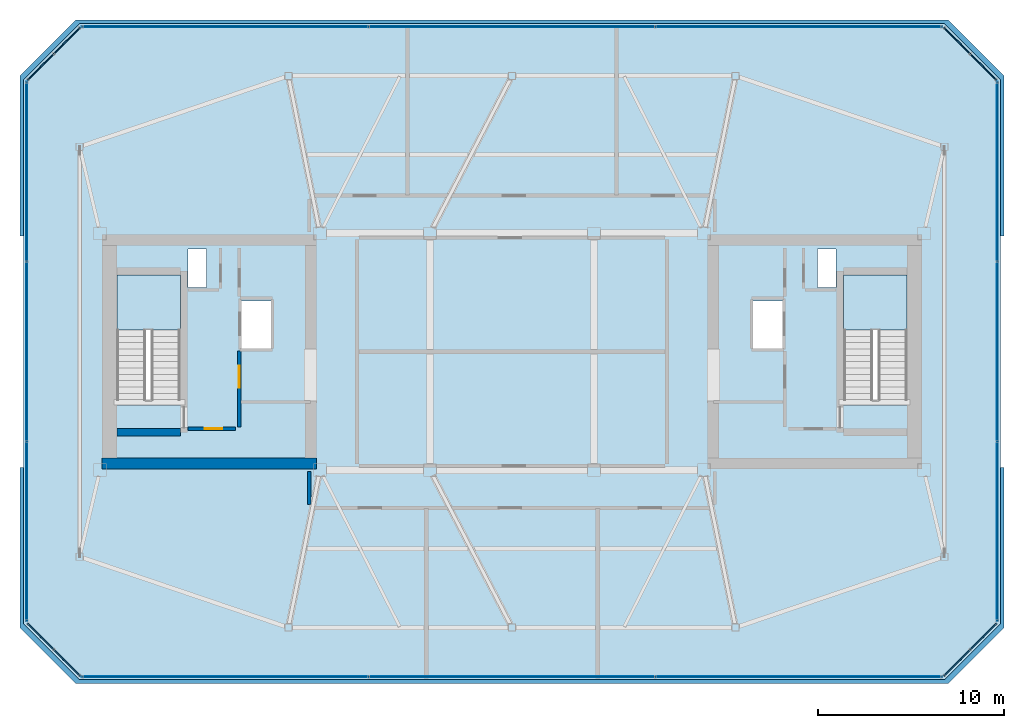
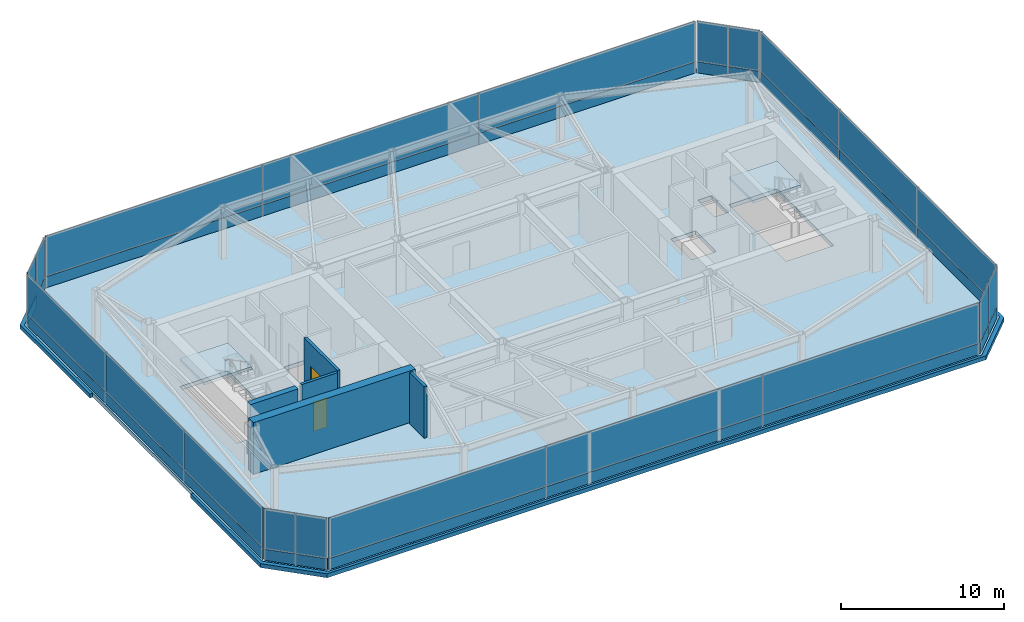
# One storey, part 17 of 22: 40 plates, 5 slabs, 5 walls, 2 doors, 2 openings, 10 elements without a shape of their own.
"""IFC4 building model written with IfcOpenShell, lengths in metres."""

from ifc_helpers import new_model, si_unit, direction, frame, frame_2d, origin, origin_2d, place, context, subcontext, project, spatial, polyline, rectangle, outline, extrude, material, layer, layer_set, type_object, element, fill, aggregate, save


model = new_model("IFC4")

# Units and contexts
model_context = context("Model", 3, precision=1e-05, world=origin(), true_north=direction((0.0, 1.0)))
body_context = subcontext(model_context, "Body", "Model", "MODEL_VIEW")
ifc_project = project(units=[si_unit("LENGTHUNIT", "METRE"), si_unit("AREAUNIT", "SQUARE_METRE"), si_unit("VOLUMEUNIT", "CUBIC_METRE"), si_unit("PLANEANGLEUNIT", "RADIAN"), si_unit("MASSUNIT", "GRAM", prefix="KILO")], contexts=[model_context])

# Site, building, storey
site_placement = place(None, origin())
site = spatial("IfcSite", under=ifc_project, at=site_placement, CompositionType="ELEMENT")
building_placement = place(site_placement, origin())
building = spatial("IfcBuilding", under=site, at=building_placement, Name="Tavrogorsk Clinical Tower", CompositionType="ELEMENT")
storey_placement = place(building_placement, frame((0.0, 0.0, 352.800048828125)))
storey = spatial("IfcBuildingStorey", under=building, at=storey_placement, Name="L82", CompositionType="ELEMENT", Elevation=352.800048828125)

# Slabs
ifc_material_1 = material(Name="Concrete B60", Category="concrete")
ifc_layer_1 = layer(ifc_material_1, 0.300048828125)
ifc_layer_set_1 = layer_set([ifc_layer_1], Name="Concrete B60")
slab_type_1 = type_object("IfcSlabType", Name="CrownRoofSlab_300", PredefinedType="FLOOR", material=ifc_layer_set_1)
slab_1_placement = place(storey_placement, frame((0.0, 0.0, -0.300048828125)))
element("IfcSlab", 1, at=slab_1_placement, inside=storey, type_object=slab_type_1, Name="L82 Structural Slab", PredefinedType="FLOOR", context=body_context, shape_type="SweptSolid", body=[
    extrude(outline(polyline([(-23.199951171875, -17.60009765625), (23.199951171875, -17.60009765625), (26.199951171875, -14.60009765625), (26.199951171875, 14.60009765625), (23.199951171875, 17.60009765625), (-23.199951171875, 17.60009765625), (-26.199951171875, 14.60009765625), (-26.199951171875, -14.60009765625), (-23.199951171875, -17.60009765625)]), holes=[polyline([(-17.800048828125, -2.8798828125), (-17.800048828125, 4.125), (-21.199951171875, 4.125), (-21.199951171875, -2.8798828125), (-17.800048828125, -2.8798828125)]), polyline([(21.199951171875, -2.8798828125), (21.199951171875, 4.125), (17.800048828125, 4.125), (17.800048828125, -2.8798828125), (21.199951171875, -2.8798828125)]), polyline([(-14.6201171875, 0.169921875), (-12.860107421875, 0.169921875), (-12.860107421875, 2.72998046875), (-14.6201171875, 2.72998046875), (-14.6201171875, 0.169921875)]), polyline([(12.860107421875, 0.169921875), (14.6201171875, 0.169921875), (14.6201171875, 2.72998046875), (12.860107421875, 2.72998046875), (12.860107421875, 0.169921875)]), polyline([(-17.3798828125, 3.449951171875), (-16.3798828125, 3.449951171875), (-16.3798828125, 5.5), (-17.3798828125, 5.5), (-17.3798828125, 3.449951171875)]), polyline([(16.3798828125, 3.449951171875), (17.3798828125, 3.449951171875), (17.3798828125, 5.5), (16.3798828125, 5.5), (16.3798828125, 3.449951171875)])]), origin(), (0.0, 0.0, 1.0), 0.300048828125),
])
ifc_material_2 = material(Name="Concrete B60", Category="concrete")
ifc_layer_2 = layer(ifc_material_2, 0.300048828125)
ifc_layer_set_2 = layer_set([ifc_layer_2], Name="Concrete B60")
slab_type_2 = type_object("IfcSlabType", Name="CrownTopRoofSlab_300", PredefinedType="ROOF", material=ifc_layer_set_2)
slab_2_placement = place(storey_placement, frame((0.0, 0.0, -0.300048828125)))
element("IfcSlab", 2, at=slab_2_placement, inside=storey, type_object=slab_type_2, Name="L82 Setback Roof Slab 1", PredefinedType="ROOF", context=body_context, shape_type="SweptSolid", body=[
    extrude(outline(polyline([(-26.39990234375, -6.199951171875), (-26.199951171875, -6.199951171875), (-26.199951171875, -14.60009765625), (-23.199951171875, -17.60009765625), (23.199951171875, -17.60009765625), (26.199951171875, -14.60009765625), (26.199951171875, -6.199951171875), (26.39990234375, -6.199951171875), (26.39990234375, -14.800048828125), (23.39990234375, -17.800048828125), (-23.39990234375, -17.800048828125), (-26.39990234375, -14.800048828125), (-26.39990234375, -6.199951171875)])), origin(), (0.0, 0.0, 1.0), 0.300048828125),
])
slab_3_placement = place(storey_placement, frame((0.0, 0.0, -0.300048828125)))
element("IfcSlab", 3, at=slab_3_placement, inside=storey, type_object=slab_type_2, Name="L82 Setback Roof Slab 2", PredefinedType="ROOF", context=body_context, shape_type="SweptSolid", body=[
    extrude(outline(polyline([(-26.39990234375, 14.800048828125), (-23.39990234375, 17.800048828125), (23.39990234375, 17.800048828125), (26.39990234375, 14.800048828125), (26.39990234375, 6.199951171875), (26.199951171875, 6.199951171875), (26.199951171875, 14.60009765625), (23.199951171875, 17.60009765625), (-23.199951171875, 17.60009765625), (-26.199951171875, 14.60009765625), (-26.199951171875, 6.199951171875), (-26.39990234375, 6.199951171875), (-26.39990234375, 14.800048828125)])), origin(), (0.0, 0.0, 1.0), 0.300048828125),
])

# Curtain wall, plates
ifc_material_3 = material(Name="Anodised aluminium and triple IGU glazing", Category="aluminium")
ifc_layer_3 = layer(ifc_material_3, 0.179931640625)
ifc_layer_set_3 = layer_set([ifc_layer_3], Name="Anodised aluminium and triple IGU glazing")
curtain_wall_type = type_object("IfcCurtainWallType", Name="CW5_SkyLobby", PredefinedType="NOTDEFINED", material=ifc_layer_set_3)
curtain_wall_1_placement = place(storey_placement, origin())
curtain_wall_1 = element("IfcCurtainWall", 4, at=curtain_wall_1_placement, inside=storey, type_object=curtain_wall_type, Name="L82 Curtain Wall CW-L82-DRUM-1", PredefinedType="NOTDEFINED")
ifc_material_4 = material(Name="Honed Podolsk limestone spandrel panel", Category="masonry")
ifc_layer_4 = layer(ifc_material_4, 0.080078125)
ifc_layer_set_4 = layer_set([ifc_layer_4], Name="Honed Podolsk limestone spandrel panel")
plate_type_1 = type_object("IfcPlateType", Name="CwSpandrelStonePanel_80", PredefinedType="CURTAIN_PANEL", material=ifc_layer_set_4)
plate_1_placement = place(storey_placement, frame((-23.877197265625, -16.696533203125, 0.001953125), z_axis=(0.0, 0.0, 1.0), x_axis=(-0.707106781187, 0.707106781187, 0.0)))
plate_1 = element("IfcPlate", 5, at=plate_1_placement, type_object=plate_type_1, Name="CW-L82-DRUM-1 Stone Spandrel Panel 1", PredefinedType="CURTAIN_PANEL", context=body_context, shape_type="SweptSolid", body=[
    extrude(rectangle(XDim=1.98291015625, YDim=0.080078125, at=origin_2d()), origin(), (0.0, 0.0, 1.0), 0.8359375),
])
plate_2_placement = place(storey_placement, frame((-25.29638671875, -15.27734375, 0.001953125), z_axis=(0.0, 0.0, 1.0), x_axis=(-0.707106781187, 0.707106781187, 0.0)))
plate_2 = element("IfcPlate", 6, at=plate_2_placement, type_object=plate_type_1, Name="CW-L82-DRUM-1 Stone Spandrel Panel 2", PredefinedType="CURTAIN_PANEL", context=body_context, shape_type="SweptSolid", body=[
    extrude(rectangle(XDim=1.98291015625, YDim=0.080078125, at=origin_2d()), origin(), (0.0, 0.0, 1.0), 0.8359375),
])

curtain_wall_2_placement = place(storey_placement, origin())
curtain_wall_2 = element("IfcCurtainWall", 7, at=curtain_wall_2_placement, inside=storey, type_object=curtain_wall_type, Name="L82 Curtain Wall CW-L82-DRUM-2", PredefinedType="NOTDEFINED")
plate_3_placement = place(storey_placement, frame((-26.0400390625, -9.655029296875, 0.001953125), z_axis=(0.0, 0.0, 1.0), x_axis=(0.0, 1.0, 0.0)))
plate_3 = element("IfcPlate", 8, at=plate_3_placement, type_object=plate_type_1, Name="CW-L82-DRUM-2 Stone Spandrel Panel 1", PredefinedType="CURTAIN_PANEL", context=body_context, shape_type="SweptSolid", body=[
    extrude(rectangle(XDim=9.63720703125, YDim=0.080078125, at=origin_2d()), origin(), (0.0, 0.0, 1.0), 0.8359375),
])
plate_4_placement = place(storey_placement, frame((-26.0400390625, 0.0, 0.001953125), z_axis=(0.0, 0.0, 1.0), x_axis=(0.0, 1.0, 0.0)))
plate_4 = element("IfcPlate", 9, at=plate_4_placement, type_object=plate_type_1, Name="CW-L82-DRUM-2 Stone Spandrel Panel 2", PredefinedType="CURTAIN_PANEL", context=body_context, shape_type="SweptSolid", body=[
    extrude(rectangle(XDim=9.625244140625, YDim=0.080078125, at=origin_2d()), origin(), (0.0, 0.0, 1.0), 0.8359375),
])
plate_5_placement = place(storey_placement, frame((-26.0400390625, 9.655029296875, 0.001953125), z_axis=(0.0, 0.0, 1.0), x_axis=(0.0, 1.0, 0.0)))
plate_5 = element("IfcPlate", 10, at=plate_5_placement, type_object=plate_type_1, Name="CW-L82-DRUM-2 Stone Spandrel Panel 3", PredefinedType="CURTAIN_PANEL", context=body_context, shape_type="SweptSolid", body=[
    extrude(rectangle(XDim=9.63720703125, YDim=0.080078125, at=origin_2d()), origin(), (0.0, 0.0, 1.0), 0.8359375),
])

curtain_wall_3_placement = place(storey_placement, origin())
curtain_wall_3 = element("IfcCurtainWall", 11, at=curtain_wall_3_placement, inside=storey, type_object=curtain_wall_type, Name="L82 Curtain Wall CW-L82-DRUM-3", PredefinedType="NOTDEFINED")
plate_6_placement = place(storey_placement, frame((-25.29638671875, 15.27734375, 0.001953125), z_axis=(0.0, 0.0, 1.0), x_axis=(0.707106781187, 0.707106781187, 0.0)))
plate_6 = element("IfcPlate", 12, at=plate_6_placement, type_object=plate_type_1, Name="CW-L82-DRUM-3 Stone Spandrel Panel 1", PredefinedType="CURTAIN_PANEL", context=body_context, shape_type="SweptSolid", body=[
    extrude(rectangle(XDim=1.98291015625, YDim=0.080078125, at=origin_2d()), origin(), (0.0, 0.0, 1.0), 0.8359375),
])
plate_7_placement = place(storey_placement, frame((-23.877197265625, 16.696533203125, 0.001953125), z_axis=(0.0, 0.0, 1.0), x_axis=(0.707106781187, 0.707106781187, 0.0)))
plate_7 = element("IfcPlate", 13, at=plate_7_placement, type_object=plate_type_1, Name="CW-L82-DRUM-3 Stone Spandrel Panel 2", PredefinedType="CURTAIN_PANEL", context=body_context, shape_type="SweptSolid", body=[
    extrude(rectangle(XDim=1.98291015625, YDim=0.080078125, at=origin_2d()), origin(), (0.0, 0.0, 1.0), 0.8359375),
])

curtain_wall_4_placement = place(storey_placement, origin())
curtain_wall_4 = element("IfcCurtainWall", 14, at=curtain_wall_4_placement, inside=storey, type_object=curtain_wall_type, Name="L82 Curtain Wall CW-L82-DRUM-4", PredefinedType="NOTDEFINED")
plate_8_placement = place(storey_placement, frame((-15.388427734375, 17.43994140625, 0.001953125), z_axis=(0.0, 0.0, 1.0), x_axis=(1.0, 0.0, 0.0)))
plate_8 = element("IfcPlate", 15, at=plate_8_placement, type_object=plate_type_1, Name="CW-L82-DRUM-4 Stone Spandrel Panel 1", PredefinedType="CURTAIN_PANEL", context=body_context, shape_type="SweptSolid", body=[
    extrude(rectangle(XDim=15.37060546875, YDim=0.080078125, at=origin_2d()), origin(), (0.0, 0.0, 1.0), 0.8359375),
])
plate_9_placement = place(storey_placement, frame((0.0, 17.43994140625, 0.001953125), z_axis=(0.0, 0.0, 1.0), x_axis=(1.0, 0.0, 0.0)))
plate_9 = element("IfcPlate", 16, at=plate_9_placement, type_object=plate_type_1, Name="CW-L82-DRUM-4 Stone Spandrel Panel 2", PredefinedType="CURTAIN_PANEL", context=body_context, shape_type="SweptSolid", body=[
    extrude(rectangle(XDim=15.3583984375, YDim=0.080078125, at=origin_2d()), origin(), (0.0, 0.0, 1.0), 0.8359375),
])
plate_10_placement = place(storey_placement, frame((15.388427734375, 17.43994140625, 0.001953125), z_axis=(0.0, 0.0, 1.0), x_axis=(1.0, 0.0, 0.0)))
plate_10 = element("IfcPlate", 17, at=plate_10_placement, type_object=plate_type_1, Name="CW-L82-DRUM-4 Stone Spandrel Panel 3", PredefinedType="CURTAIN_PANEL", context=body_context, shape_type="SweptSolid", body=[
    extrude(rectangle(XDim=15.37060546875, YDim=0.080078125, at=origin_2d()), origin(), (0.0, 0.0, 1.0), 0.8359375),
])

curtain_wall_5_placement = place(storey_placement, origin())
curtain_wall_5 = element("IfcCurtainWall", 18, at=curtain_wall_5_placement, inside=storey, type_object=curtain_wall_type, Name="L82 Curtain Wall CW-L82-DRUM-5", PredefinedType="NOTDEFINED")
plate_11_placement = place(storey_placement, frame((23.877197265625, 16.696533203125, 0.001953125), z_axis=(0.0, 0.0, 1.0), x_axis=(0.707106781187, -0.707106781187, 0.0)))
plate_11 = element("IfcPlate", 19, at=plate_11_placement, type_object=plate_type_1, Name="CW-L82-DRUM-5 Stone Spandrel Panel 1", PredefinedType="CURTAIN_PANEL", context=body_context, shape_type="SweptSolid", body=[
    extrude(rectangle(XDim=1.98291015625, YDim=0.080078125, at=origin_2d()), origin(), (0.0, 0.0, 1.0), 0.8359375),
])
plate_12_placement = place(storey_placement, frame((25.29638671875, 15.27734375, 0.001953125), z_axis=(0.0, 0.0, 1.0), x_axis=(0.707106781187, -0.707106781187, 0.0)))
plate_12 = element("IfcPlate", 20, at=plate_12_placement, type_object=plate_type_1, Name="CW-L82-DRUM-5 Stone Spandrel Panel 2", PredefinedType="CURTAIN_PANEL", context=body_context, shape_type="SweptSolid", body=[
    extrude(rectangle(XDim=1.98291015625, YDim=0.080078125, at=origin_2d()), origin(), (0.0, 0.0, 1.0), 0.8359375),
])

curtain_wall_6_placement = place(storey_placement, origin())
curtain_wall_6 = element("IfcCurtainWall", 21, at=curtain_wall_6_placement, inside=storey, type_object=curtain_wall_type, Name="L82 Curtain Wall CW-L82-DRUM-6", PredefinedType="NOTDEFINED")
plate_13_placement = place(storey_placement, frame((26.0400390625, 9.655029296875, 0.001953125), z_axis=(0.0, 0.0, 1.0), x_axis=(0.0, -1.0, 0.0)))
plate_13 = element("IfcPlate", 22, at=plate_13_placement, type_object=plate_type_1, Name="CW-L82-DRUM-6 Stone Spandrel Panel 1", PredefinedType="CURTAIN_PANEL", context=body_context, shape_type="SweptSolid", body=[
    extrude(rectangle(XDim=9.63720703125, YDim=0.080078125, at=origin_2d()), origin(), (0.0, 0.0, 1.0), 0.8359375),
])
plate_14_placement = place(storey_placement, frame((26.0400390625, 0.0, 0.001953125), z_axis=(0.0, 0.0, 1.0), x_axis=(0.0, -1.0, 0.0)))
plate_14 = element("IfcPlate", 23, at=plate_14_placement, type_object=plate_type_1, Name="CW-L82-DRUM-6 Stone Spandrel Panel 2", PredefinedType="CURTAIN_PANEL", context=body_context, shape_type="SweptSolid", body=[
    extrude(rectangle(XDim=9.625244140625, YDim=0.080078125, at=origin_2d()), origin(), (0.0, 0.0, 1.0), 0.8359375),
])
plate_15_placement = place(storey_placement, frame((26.0400390625, -9.655029296875, 0.001953125), z_axis=(0.0, 0.0, 1.0), x_axis=(0.0, -1.0, 0.0)))
plate_15 = element("IfcPlate", 24, at=plate_15_placement, type_object=plate_type_1, Name="CW-L82-DRUM-6 Stone Spandrel Panel 3", PredefinedType="CURTAIN_PANEL", context=body_context, shape_type="SweptSolid", body=[
    extrude(rectangle(XDim=9.63720703125, YDim=0.080078125, at=origin_2d()), origin(), (0.0, 0.0, 1.0), 0.8359375),
])

curtain_wall_7_placement = place(storey_placement, origin())
curtain_wall_7 = element("IfcCurtainWall", 25, at=curtain_wall_7_placement, inside=storey, type_object=curtain_wall_type, Name="L82 Curtain Wall CW-L82-DRUM-7", PredefinedType="NOTDEFINED")
plate_16_placement = place(storey_placement, frame((25.29638671875, -15.27734375, 0.001953125), z_axis=(0.0, 0.0, 1.0), x_axis=(-0.707106781187, -0.707106781187, 0.0)))
plate_16 = element("IfcPlate", 26, at=plate_16_placement, type_object=plate_type_1, Name="CW-L82-DRUM-7 Stone Spandrel Panel 1", PredefinedType="CURTAIN_PANEL", context=body_context, shape_type="SweptSolid", body=[
    extrude(rectangle(XDim=1.98291015625, YDim=0.080078125, at=origin_2d()), origin(), (0.0, 0.0, 1.0), 0.8359375),
])
plate_17_placement = place(storey_placement, frame((23.877197265625, -16.696533203125, 0.001953125), z_axis=(0.0, 0.0, 1.0), x_axis=(-0.707106781187, -0.707106781187, 0.0)))
plate_17 = element("IfcPlate", 27, at=plate_17_placement, type_object=plate_type_1, Name="CW-L82-DRUM-7 Stone Spandrel Panel 2", PredefinedType="CURTAIN_PANEL", context=body_context, shape_type="SweptSolid", body=[
    extrude(rectangle(XDim=1.98291015625, YDim=0.080078125, at=origin_2d()), origin(), (0.0, 0.0, 1.0), 0.8359375),
])

curtain_wall_8_placement = place(storey_placement, origin())
curtain_wall_8 = element("IfcCurtainWall", 28, at=curtain_wall_8_placement, inside=storey, type_object=curtain_wall_type, Name="L82 Curtain Wall CW-L82-DRUM-8", PredefinedType="NOTDEFINED")
plate_18_placement = place(storey_placement, frame((15.388427734375, -17.43994140625, 0.001953125), z_axis=(0.0, 0.0, 1.0), x_axis=(-1.0, 0.0, 0.0)))
plate_18 = element("IfcPlate", 29, at=plate_18_placement, type_object=plate_type_1, Name="CW-L82-DRUM-8 Stone Spandrel Panel 1", PredefinedType="CURTAIN_PANEL", context=body_context, shape_type="SweptSolid", body=[
    extrude(rectangle(XDim=15.37060546875, YDim=0.080078125, at=origin_2d()), origin(), (0.0, 0.0, 1.0), 0.8359375),
])
plate_19_placement = place(storey_placement, frame((0.0, -17.43994140625, 0.001953125), z_axis=(0.0, 0.0, 1.0), x_axis=(-1.0, 0.0, 0.0)))
plate_19 = element("IfcPlate", 30, at=plate_19_placement, type_object=plate_type_1, Name="CW-L82-DRUM-8 Stone Spandrel Panel 2", PredefinedType="CURTAIN_PANEL", context=body_context, shape_type="SweptSolid", body=[
    extrude(rectangle(XDim=15.3583984375, YDim=0.080078125, at=origin_2d()), origin(), (0.0, 0.0, 1.0), 0.8359375),
])
plate_20_placement = place(storey_placement, frame((-15.388427734375, -17.43994140625, 0.001953125), z_axis=(0.0, 0.0, 1.0), x_axis=(-1.0, 0.0, 0.0)))
plate_20 = element("IfcPlate", 31, at=plate_20_placement, type_object=plate_type_1, Name="CW-L82-DRUM-8 Stone Spandrel Panel 3", PredefinedType="CURTAIN_PANEL", context=body_context, shape_type="SweptSolid", body=[
    extrude(rectangle(XDim=15.37060546875, YDim=0.080078125, at=origin_2d()), origin(), (0.0, 0.0, 1.0), 0.8359375),
])

# Plate
ifc_material_5 = material(Name="Triple low-E argon insulated glass", Category="glass")
ifc_layer_5 = layer(ifc_material_5, 0.048095703125)
ifc_layer_set_5 = layer_set([ifc_layer_5], Name="Triple low-E argon insulated glass")
plate_type_2 = type_object("IfcPlateType", Name="CwVisionGlassPanel_48", PredefinedType="CURTAIN_PANEL", material=ifc_layer_set_5)
plate_21_placement = place(storey_placement, frame((-23.877197265625, -16.696533203125, 0.86181640625), z_axis=(0.0, 0.0, 1.0), x_axis=(-0.707106781187, 0.707106781187, 0.0)))
plate_21 = element("IfcPlate", 32, at=plate_21_placement, type_object=plate_type_2, Name="CW-L82-DRUM-1 Glazing Panel 1", PredefinedType="CURTAIN_PANEL", context=body_context, shape_type="SweptSolid", body=[
    extrude(rectangle(XDim=1.98291015625, YDim=0.048095703125, at=origin_2d()), origin(), (0.0, 0.0, 1.0), 3.01611328125),
])

plate_22_placement = place(storey_placement, frame((-25.29638671875, -15.27734375, 0.86181640625), z_axis=(0.0, 0.0, 1.0), x_axis=(-0.707106781187, 0.707106781187, 0.0)))
plate_22 = element("IfcPlate", 33, at=plate_22_placement, type_object=plate_type_2, Name="CW-L82-DRUM-1 Glazing Panel 2", PredefinedType="CURTAIN_PANEL", context=body_context, shape_type="SweptSolid", body=[
    extrude(rectangle(XDim=1.98291015625, YDim=0.048095703125, at=origin_2d()), origin(), (0.0, 0.0, 1.0), 3.01611328125),
])

aggregate(curtain_wall_1, [plate_1, plate_21, plate_2, plate_22])

plate_23_placement = place(storey_placement, frame((-26.0400390625, -9.655029296875, 0.86181640625), z_axis=(0.0, 0.0, 1.0), x_axis=(0.0, 1.0, 0.0)))
plate_23 = element("IfcPlate", 34, at=plate_23_placement, type_object=plate_type_2, Name="CW-L82-DRUM-2 Glazing Panel 1", PredefinedType="CURTAIN_PANEL", context=body_context, shape_type="SweptSolid", body=[
    extrude(rectangle(XDim=9.63720703125, YDim=0.048095703125, at=origin_2d()), origin(), (0.0, 0.0, 1.0), 3.01611328125),
])

plate_24_placement = place(storey_placement, frame((-26.0400390625, 0.0, 0.86181640625), z_axis=(0.0, 0.0, 1.0), x_axis=(0.0, 1.0, 0.0)))
plate_24 = element("IfcPlate", 35, at=plate_24_placement, type_object=plate_type_2, Name="CW-L82-DRUM-2 Glazing Panel 2", PredefinedType="CURTAIN_PANEL", context=body_context, shape_type="SweptSolid", body=[
    extrude(rectangle(XDim=9.625244140625, YDim=0.048095703125, at=origin_2d()), origin(), (0.0, 0.0, 1.0), 3.01611328125),
])

plate_25_placement = place(storey_placement, frame((-26.0400390625, 9.655029296875, 0.86181640625), z_axis=(0.0, 0.0, 1.0), x_axis=(0.0, 1.0, 0.0)))
plate_25 = element("IfcPlate", 36, at=plate_25_placement, type_object=plate_type_2, Name="CW-L82-DRUM-2 Glazing Panel 3", PredefinedType="CURTAIN_PANEL", context=body_context, shape_type="SweptSolid", body=[
    extrude(rectangle(XDim=9.63720703125, YDim=0.048095703125, at=origin_2d()), origin(), (0.0, 0.0, 1.0), 3.01611328125),
])

aggregate(curtain_wall_2, [plate_3, plate_23, plate_4, plate_24, plate_5, plate_25])

plate_26_placement = place(storey_placement, frame((-25.29638671875, 15.27734375, 0.86181640625), z_axis=(0.0, 0.0, 1.0), x_axis=(0.707106781187, 0.707106781187, 0.0)))
plate_26 = element("IfcPlate", 37, at=plate_26_placement, type_object=plate_type_2, Name="CW-L82-DRUM-3 Glazing Panel 1", PredefinedType="CURTAIN_PANEL", context=body_context, shape_type="SweptSolid", body=[
    extrude(rectangle(XDim=1.98291015625, YDim=0.048095703125, at=origin_2d()), origin(), (0.0, 0.0, 1.0), 3.01611328125),
])

plate_27_placement = place(storey_placement, frame((-23.877197265625, 16.696533203125, 0.86181640625), z_axis=(0.0, 0.0, 1.0), x_axis=(0.707106781187, 0.707106781187, 0.0)))
plate_27 = element("IfcPlate", 38, at=plate_27_placement, type_object=plate_type_2, Name="CW-L82-DRUM-3 Glazing Panel 2", PredefinedType="CURTAIN_PANEL", context=body_context, shape_type="SweptSolid", body=[
    extrude(rectangle(XDim=1.98291015625, YDim=0.048095703125, at=origin_2d()), origin(), (0.0, 0.0, 1.0), 3.01611328125),
])

aggregate(curtain_wall_3, [plate_6, plate_26, plate_7, plate_27])

plate_28_placement = place(storey_placement, frame((-15.388427734375, 17.43994140625, 0.86181640625), z_axis=(0.0, 0.0, 1.0), x_axis=(1.0, 0.0, 0.0)))
plate_28 = element("IfcPlate", 39, at=plate_28_placement, type_object=plate_type_2, Name="CW-L82-DRUM-4 Glazing Panel 1", PredefinedType="CURTAIN_PANEL", context=body_context, shape_type="SweptSolid", body=[
    extrude(rectangle(XDim=15.37060546875, YDim=0.048095703125, at=origin_2d()), origin(), (0.0, 0.0, 1.0), 3.01611328125),
])

plate_29_placement = place(storey_placement, frame((0.0, 17.43994140625, 0.86181640625), z_axis=(0.0, 0.0, 1.0), x_axis=(1.0, 0.0, 0.0)))
plate_29 = element("IfcPlate", 40, at=plate_29_placement, type_object=plate_type_2, Name="CW-L82-DRUM-4 Glazing Panel 2", PredefinedType="CURTAIN_PANEL", context=body_context, shape_type="SweptSolid", body=[
    extrude(rectangle(XDim=15.3583984375, YDim=0.048095703125, at=origin_2d()), origin(), (0.0, 0.0, 1.0), 3.01611328125),
])

plate_30_placement = place(storey_placement, frame((15.388427734375, 17.43994140625, 0.86181640625), z_axis=(0.0, 0.0, 1.0), x_axis=(1.0, 0.0, 0.0)))
plate_30 = element("IfcPlate", 41, at=plate_30_placement, type_object=plate_type_2, Name="CW-L82-DRUM-4 Glazing Panel 3", PredefinedType="CURTAIN_PANEL", context=body_context, shape_type="SweptSolid", body=[
    extrude(rectangle(XDim=15.37060546875, YDim=0.048095703125, at=origin_2d()), origin(), (0.0, 0.0, 1.0), 3.01611328125),
])

aggregate(curtain_wall_4, [plate_8, plate_28, plate_9, plate_29, plate_10, plate_30])

plate_31_placement = place(storey_placement, frame((23.877197265625, 16.696533203125, 0.86181640625), z_axis=(0.0, 0.0, 1.0), x_axis=(0.707106781187, -0.707106781187, 0.0)))
plate_31 = element("IfcPlate", 42, at=plate_31_placement, type_object=plate_type_2, Name="CW-L82-DRUM-5 Glazing Panel 1", PredefinedType="CURTAIN_PANEL", context=body_context, shape_type="SweptSolid", body=[
    extrude(rectangle(XDim=1.98291015625, YDim=0.048095703125, at=origin_2d()), origin(), (0.0, 0.0, 1.0), 3.01611328125),
])

plate_32_placement = place(storey_placement, frame((25.29638671875, 15.27734375, 0.86181640625), z_axis=(0.0, 0.0, 1.0), x_axis=(0.707106781187, -0.707106781187, 0.0)))
plate_32 = element("IfcPlate", 43, at=plate_32_placement, type_object=plate_type_2, Name="CW-L82-DRUM-5 Glazing Panel 2", PredefinedType="CURTAIN_PANEL", context=body_context, shape_type="SweptSolid", body=[
    extrude(rectangle(XDim=1.98291015625, YDim=0.048095703125, at=origin_2d()), origin(), (0.0, 0.0, 1.0), 3.01611328125),
])

aggregate(curtain_wall_5, [plate_11, plate_31, plate_12, plate_32])

plate_33_placement = place(storey_placement, frame((26.0400390625, 9.655029296875, 0.86181640625), z_axis=(0.0, 0.0, 1.0), x_axis=(0.0, -1.0, 0.0)))
plate_33 = element("IfcPlate", 44, at=plate_33_placement, type_object=plate_type_2, Name="CW-L82-DRUM-6 Glazing Panel 1", PredefinedType="CURTAIN_PANEL", context=body_context, shape_type="SweptSolid", body=[
    extrude(rectangle(XDim=9.63720703125, YDim=0.048095703125, at=origin_2d()), origin(), (0.0, 0.0, 1.0), 3.01611328125),
])

plate_34_placement = place(storey_placement, frame((26.0400390625, 0.0, 0.86181640625), z_axis=(0.0, 0.0, 1.0), x_axis=(0.0, -1.0, 0.0)))
plate_34 = element("IfcPlate", 45, at=plate_34_placement, type_object=plate_type_2, Name="CW-L82-DRUM-6 Glazing Panel 2", PredefinedType="CURTAIN_PANEL", context=body_context, shape_type="SweptSolid", body=[
    extrude(rectangle(XDim=9.625244140625, YDim=0.048095703125, at=origin_2d()), origin(), (0.0, 0.0, 1.0), 3.01611328125),
])

plate_35_placement = place(storey_placement, frame((26.0400390625, -9.655029296875, 0.86181640625), z_axis=(0.0, 0.0, 1.0), x_axis=(0.0, -1.0, 0.0)))
plate_35 = element("IfcPlate", 46, at=plate_35_placement, type_object=plate_type_2, Name="CW-L82-DRUM-6 Glazing Panel 3", PredefinedType="CURTAIN_PANEL", context=body_context, shape_type="SweptSolid", body=[
    extrude(rectangle(XDim=9.63720703125, YDim=0.048095703125, at=origin_2d()), origin(), (0.0, 0.0, 1.0), 3.01611328125),
])

aggregate(curtain_wall_6, [plate_13, plate_33, plate_14, plate_34, plate_15, plate_35])

plate_36_placement = place(storey_placement, frame((25.29638671875, -15.27734375, 0.86181640625), z_axis=(0.0, 0.0, 1.0), x_axis=(-0.707106781187, -0.707106781187, 0.0)))
plate_36 = element("IfcPlate", 47, at=plate_36_placement, type_object=plate_type_2, Name="CW-L82-DRUM-7 Glazing Panel 1", PredefinedType="CURTAIN_PANEL", context=body_context, shape_type="SweptSolid", body=[
    extrude(rectangle(XDim=1.98291015625, YDim=0.048095703125, at=origin_2d()), origin(), (0.0, 0.0, 1.0), 3.01611328125),
])

plate_37_placement = place(storey_placement, frame((23.877197265625, -16.696533203125, 0.86181640625), z_axis=(0.0, 0.0, 1.0), x_axis=(-0.707106781187, -0.707106781187, 0.0)))
plate_37 = element("IfcPlate", 48, at=plate_37_placement, type_object=plate_type_2, Name="CW-L82-DRUM-7 Glazing Panel 2", PredefinedType="CURTAIN_PANEL", context=body_context, shape_type="SweptSolid", body=[
    extrude(rectangle(XDim=1.98291015625, YDim=0.048095703125, at=origin_2d()), origin(), (0.0, 0.0, 1.0), 3.01611328125),
])

aggregate(curtain_wall_7, [plate_16, plate_36, plate_17, plate_37])

plate_38_placement = place(storey_placement, frame((15.388427734375, -17.43994140625, 0.86181640625), z_axis=(0.0, 0.0, 1.0), x_axis=(-1.0, 0.0, 0.0)))
plate_38 = element("IfcPlate", 49, at=plate_38_placement, type_object=plate_type_2, Name="CW-L82-DRUM-8 Glazing Panel 1", PredefinedType="CURTAIN_PANEL", context=body_context, shape_type="SweptSolid", body=[
    extrude(rectangle(XDim=15.37060546875, YDim=0.048095703125, at=origin_2d()), origin(), (0.0, 0.0, 1.0), 3.01611328125),
])

plate_39_placement = place(storey_placement, frame((0.0, -17.43994140625, 0.86181640625), z_axis=(0.0, 0.0, 1.0), x_axis=(-1.0, 0.0, 0.0)))
plate_39 = element("IfcPlate", 50, at=plate_39_placement, type_object=plate_type_2, Name="CW-L82-DRUM-8 Glazing Panel 2", PredefinedType="CURTAIN_PANEL", context=body_context, shape_type="SweptSolid", body=[
    extrude(rectangle(XDim=15.3583984375, YDim=0.048095703125, at=origin_2d()), origin(), (0.0, 0.0, 1.0), 3.01611328125),
])

plate_40_placement = place(storey_placement, frame((-15.388427734375, -17.43994140625, 0.86181640625), z_axis=(0.0, 0.0, 1.0), x_axis=(-1.0, 0.0, 0.0)))
plate_40 = element("IfcPlate", 51, at=plate_40_placement, type_object=plate_type_2, Name="CW-L82-DRUM-8 Glazing Panel 3", PredefinedType="CURTAIN_PANEL", context=body_context, shape_type="SweptSolid", body=[
    extrude(rectangle(XDim=15.37060546875, YDim=0.048095703125, at=origin_2d()), origin(), (0.0, 0.0, 1.0), 3.01611328125),
])

aggregate(curtain_wall_8, [plate_18, plate_38, plate_19, plate_39, plate_20, plate_40])

# Stair, slab
ifc_material_6 = material(Name="Concrete B60", Category="concrete")
stair_type = type_object("IfcStairType", Name="CoreStairAssembly", PredefinedType="HALF_TURN_STAIR", material=ifc_material_6)
stair_1_placement = place(storey_placement, origin())
stair_1 = element("IfcStair", 52, at=stair_1_placement, inside=storey, type_object=stair_type, Name="L82 ST-W", PredefinedType="HALF_TURN_STAIR")
ifc_material_7 = material(Name="Concrete B60", Category="concrete")
ifc_layer_6 = layer(ifc_material_7, 0.199951171875)
ifc_layer_set_6 = layer_set([ifc_layer_6], Name="Concrete B60")
slab_type_3 = type_object("IfcSlabType", Name="StairLanding_200", PredefinedType="LANDING", material=ifc_layer_set_6)
slab_4_placement = place(storey_placement, frame((0.0, 0.0, 1.89990234375)))
slab_4 = element("IfcSlab", 53, at=slab_4_placement, type_object=slab_type_3, Name="ST-W landing 1", PredefinedType="LANDING", context=body_context, shape_type="SweptSolid", body=[
    extrude(outline(polyline([(-17.800048828125, 1.1650390625), (-17.800048828125, 4.125), (-21.199951171875, 4.125), (-21.199951171875, 1.1650390625), (-17.800048828125, 1.1650390625)])), origin(), (0.0, 0.0, 1.0), 0.199951171875),
])
aggregate(stair_1, [slab_4])

stair_2_placement = place(storey_placement, origin())
stair_2 = element("IfcStair", 54, at=stair_2_placement, inside=storey, type_object=stair_type, Name="L82 ST-E", PredefinedType="HALF_TURN_STAIR")
slab_5_placement = place(storey_placement, frame((0.0, 0.0, 1.89990234375)))
slab_5 = element("IfcSlab", 55, at=slab_5_placement, type_object=slab_type_3, Name="ST-E landing 1", PredefinedType="LANDING", context=body_context, shape_type="SweptSolid", body=[
    extrude(outline(polyline([(21.199951171875, 1.1650390625), (21.199951171875, 4.125), (17.800048828125, 4.125), (17.800048828125, 1.1650390625), (21.199951171875, 1.1650390625)])), origin(), (0.0, 0.0, 1.0), 0.199951171875),
])
aggregate(stair_2, [slab_5])

# Wall, opening, door
ifc_material_8 = material(Name="Concrete B60", Category="concrete")
ifc_layer_7 = layer(ifc_material_8, 0.199951171875)
ifc_layer_set_7 = layer_set([ifc_layer_7], Name="Concrete B60")
wall_type_1 = type_object("IfcWallType", Name="CoreFireWall_200", PredefinedType="SOLIDWALL", material=ifc_layer_set_7)
wall_1_placement = place(storey_placement, frame((-17.3798828125, -4.139892578125, 0.0), z_axis=(0.0, 0.0, 1.0), x_axis=(1.0, 0.0, 0.0)))
wall_1 = element("IfcWall", 56, at=wall_1_placement, inside=storey, type_object=wall_type_1, Name="L82 Core West South Core Room Fire Wall", PredefinedType="SOLIDWALL", context=body_context, shape_type="SweptSolid", body=[
    extrude(rectangle(XDim=2.554931640625, YDim=0.199951171875, at=frame_2d((1.27734375, 0.0))), origin(), (0.0, 0.0, 1.0), 3.8798828125),
])
opening_1_placement = place(wall_1_placement, frame((0.8798828125, 0.0, 0.0)))
opening_1 = element("IfcOpeningElement", 57, at=opening_1_placement, cuts=wall_1, Name="Opening ID-02", PredefinedType="OPENING", context=body_context, shape_type="SweptSolid", body=[
    extrude(rectangle(XDim=0.949951171875, YDim=2.199951171875, at=frame_2d((0.47509765625, 1.10009765625))), frame((0.0, 0.10986328125, 0.0), z_axis=(0.0, -1.0, 0.0), x_axis=(1.0, 0.0, 0.0)), (0.0, 0.0, 1.0), 0.219970703125),
])
ifc_material_9 = material(Name="Laminated timber leaf on aluminium frame", Category="wood")
door_type_1 = type_object("IfcDoorType", Name="InteriorDoor_ID02_950", OperationType="NOTDEFINED", PredefinedType="DOOR", material=ifc_material_9)
door_1_placement = place(opening_1_placement, origin())
door_1 = element("IfcDoor", 58, at=door_1_placement, inside=storey, type_object=door_type_1, Name="L82 Core West South Core Room Door", OperationType="SINGLE_SWING_RIGHT", OverallHeight=2.199951171875, OverallWidth=0.949951171875, PredefinedType="DOOR", context=body_context, shape_type="SweptSolid", body=[
    extrude(rectangle(XDim=0.949951171875, YDim=2.199951171875, at=frame_2d((0.47509765625, 1.10009765625))), frame((0.0, 0.02490234375, 0.0), z_axis=(0.0, -1.0, 0.0), x_axis=(1.0, 0.0, 0.0)), (0.0, 0.0, 1.0), 0.050048828125),
])
fill(opening_1, door_1)

wall_2_placement = place(storey_placement, frame((-14.639892578125, -4.034912109375, 0.0), z_axis=(0.0, 0.0, 1.0), x_axis=(0.0, 1.0, 0.0)))
wall_2 = element("IfcWall", 59, at=wall_2_placement, inside=storey, type_object=wall_type_1, Name="L82 Core West Firefighting Lobby Fire Wall", PredefinedType="SOLIDWALL", context=body_context, shape_type="SweptSolid", body=[
    extrude(rectangle(XDim=4.074951171875, YDim=0.199951171875, at=frame_2d((2.03759765625, 0.0))), origin(), (0.0, 0.0, 1.0), 3.8798828125),
])
opening_2_placement = place(wall_2_placement, frame((2.090087890625, 0.0, 0.0)))
opening_2 = element("IfcOpeningElement", 60, at=opening_2_placement, cuts=wall_2, Name="Opening FD-01", PredefinedType="OPENING", context=body_context, shape_type="SweptSolid", body=[
    extrude(rectangle(XDim=1.199951171875, YDim=2.199951171875, at=frame_2d((0.60009765625, 1.10009765625))), frame((0.0, 0.10986328125, 0.0), z_axis=(0.0, -1.0, 0.0), x_axis=(1.0, 0.0, 0.0)), (0.0, 0.0, 1.0), 0.219970703125),
])
ifc_material_10 = material(Name="Galvanised steel fire-rated door assembly", Category="steel")
door_type_2 = type_object("IfcDoorType", Name="FireDoor_FD01_1200", OperationType="NOTDEFINED", PredefinedType="DOOR", material=ifc_material_10)
door_2_placement = place(opening_2_placement, origin())
door_2 = element("IfcDoor", 61, at=door_2_placement, inside=storey, type_object=door_type_2, Name="L82 Core West Firefighting Lobby Entry Door", OperationType="SINGLE_SWING_RIGHT", OverallHeight=2.199951171875, OverallWidth=1.199951171875, PredefinedType="DOOR", context=body_context, shape_type="SweptSolid", body=[
    extrude(rectangle(XDim=1.199951171875, YDim=2.199951171875, at=frame_2d((0.60009765625, 1.10009765625))), frame((0.0, 0.02490234375, 0.0), z_axis=(0.0, -1.0, 0.0), x_axis=(1.0, 0.0, 0.0)), (0.0, 0.0, 1.0), 0.050048828125),
])
fill(opening_2, door_2)

# Walls
wall_3_placement = place(storey_placement, frame((-10.8798828125, -8.195068359375, 0.0), z_axis=(0.0, 0.0, 1.0), x_axis=(0.0, 1.0, 0.0)))
element("IfcWall", 62, at=wall_3_placement, inside=storey, type_object=wall_type_1, Name="L82 Crown Corridor Wall 01", PredefinedType="SOLIDWALL", context=body_context, shape_type="SweptSolid", body=[
    extrude(rectangle(XDim=1.775146484375, YDim=0.199951171875, at=frame_2d((0.8876953125, 0.0))), origin(), (0.0, 0.0, 1.0), 3.8798828125),
])
ifc_material_11 = material(Name="Concrete B80", Category="concrete")
ifc_layer_8 = layer(ifc_material_11, 0.39990234375)
ifc_layer_set_8 = layer_set([ifc_layer_8], Name="Concrete B80")
wall_type_2 = type_object("IfcWallType", Name="ShearWall_400", PredefinedType="SHEAR", material=ifc_layer_set_8)
wall_4_placement = place(storey_placement, frame((-21.199951171875, -4.324951171875, 0.0), z_axis=(0.0, 0.0, 1.0), x_axis=(1.0, 0.0, 0.0)))
element("IfcWall", 63, at=wall_4_placement, inside=storey, type_object=wall_type_2, Name="L82 Core West Stair Shaft South Shear Wall", PredefinedType="SHEAR", context=body_context, shape_type="SweptSolid", body=[
    extrude(rectangle(XDim=3.39990234375, YDim=0.39990234375, at=frame_2d((1.699951171875, 0.0))), origin(), (0.0, 0.0, 1.0), 3.8798828125),
])
ifc_material_12 = material(Name="Concrete B80", Category="concrete")
ifc_layer_9 = layer(ifc_material_12, 0.60009765625)
ifc_layer_set_9 = layer_set([ifc_layer_9], Name="Concrete B80")
wall_type_3 = type_object("IfcWallType", Name="ShearWall_600", PredefinedType="SHEAR", material=ifc_layer_set_9)
wall_5_placement = place(storey_placement, frame((-22.0, -6.0, 0.0), z_axis=(0.0, 0.0, 1.0), x_axis=(1.0, 0.0, 0.0)))
element("IfcWall", 64, at=wall_5_placement, inside=storey, type_object=wall_type_3, Name="L82 Core West South Shear Wall", PredefinedType="SHEAR", context=body_context, shape_type="SweptSolid", body=[
    extrude(rectangle(XDim=11.5, YDim=0.60009765625, at=frame_2d((5.75, 0.0))), origin(), (0.0, 0.0, 1.0), 3.8798828125),
])

save(model, "model.ifc")
